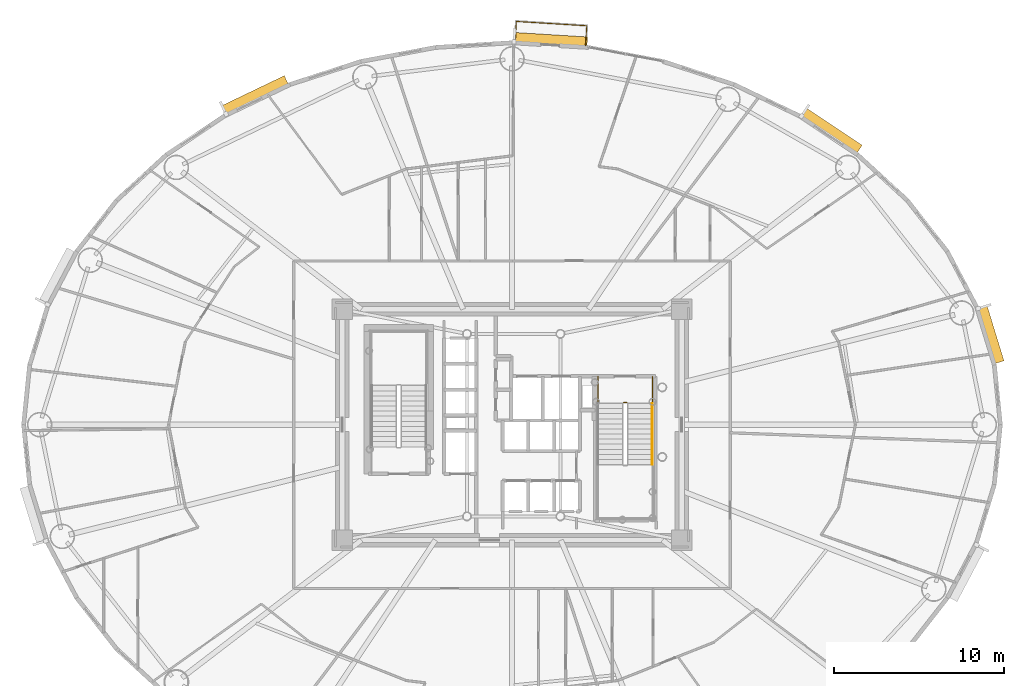
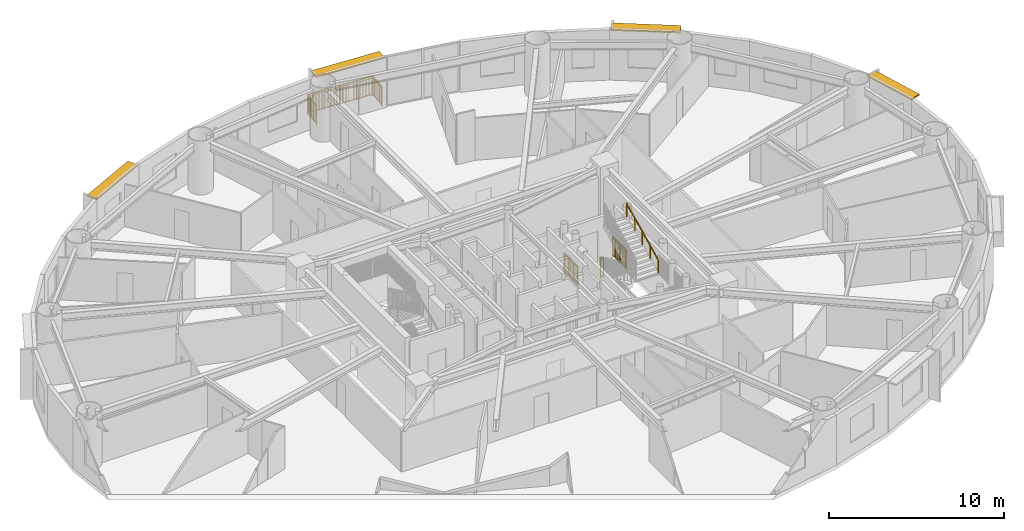
# One storey, part 16 of 16: 5 railings, 4 shading devices.
"""IFC4 building model written with IfcOpenShell, lengths in metres."""

from ifc_helpers import new_model, si_unit, direction, frame, origin, origin_2d, place, context, subcontext, project, spatial, rectangle, extrude, source, transform, mapped, material, layer, layer_set, type_object, element, save


model = new_model("IFC4")

# Units and contexts
model_context = context("Model", 3, precision=1e-05, world=origin(), true_north=direction((0.0, 1.0)))
body_context = subcontext(model_context, "Body", "Model", "MODEL_VIEW")
ifc_project = project(units=[si_unit("LENGTHUNIT", "METRE"), si_unit("AREAUNIT", "SQUARE_METRE"), si_unit("VOLUMEUNIT", "CUBIC_METRE"), si_unit("PLANEANGLEUNIT", "RADIAN"), si_unit("MASSUNIT", "GRAM", prefix="KILO")], contexts=[model_context])

# Site, building, storey
site_placement = place(None, origin())
site = spatial("IfcSite", under=ifc_project, at=site_placement, CompositionType="ELEMENT")
building_placement = place(site_placement, origin())
building = spatial("IfcBuilding", under=site, at=building_placement, Name="Linh Dai School and Residence Tower", CompositionType="ELEMENT")
storey_placement = place(building_placement, frame((0.0, 0.0, 108.449951171875)))
storey = spatial("IfcBuildingStorey", under=building, at=storey_placement, Name="L25", CompositionType="ELEMENT", Elevation=108.449951171875)

# Shading devices
ifc_material_1 = material(Name="Terracotta Ceramic Sunshade", Category="masonry")
ifc_layer = layer(ifc_material_1, 0.10009765625)
ifc_layer_set = layer_set([ifc_layer], Name="Terracotta Ceramic Sunshade")
shading_device_type = type_object("IfcShadingDeviceType", Name="SHD-TC-650", PredefinedType="USERDEFINED", material=ifc_layer_set)
shared_shape_1 = source(origin(), body_context, "Body", "SweptSolid", [
    extrude(rectangle(XDim=3.44384765625, YDim=0.64990234375, at=origin_2d()), origin(), (0.0, 0.0, 1.0), 0.10009765625),
])
shading_device_1_placement = place(storey_placement, frame((64.16845703125, 32.313720703125, 3.3798828125), z_axis=(0.0, 0.0, 1.0), x_axis=(0.293133528962, -0.956071511028, 0.0)))
element("IfcShadingDevice", 1, at=shading_device_1_placement, inside=storey, type_object=shading_device_type, Name="L25 Terracotta Horizontal Sunshade Band 02", ObjectType="SUNSHADE", PredefinedType="USERDEFINED", context=body_context, shape_type="MappedRepresentation", body=[
    mapped(shared_shape_1, transform((0.0, 0.0, 0.0), x_axis=(1.0, 0.0, 0.0), y_axis=(0.0, 1.0, 0.0), z_axis=(0.0, 0.0, 1.0), scale=1.0)),
])
shared_shape_2 = source(origin(), body_context, "Body", "SweptSolid", [
    extrude(rectangle(XDim=3.96484375, YDim=0.64990234375, at=origin_2d()), origin(), (0.0, 0.0, 1.0), 0.10009765625),
])
shading_device_2_placement = place(storey_placement, frame((54.80029296875, 44.288330078125, 3.3798828125), z_axis=(0.0, 0.0, 1.0), x_axis=(0.831240347736, -0.555913198527, 0.0)))
element("IfcShadingDevice", 2, at=shading_device_2_placement, inside=storey, type_object=shading_device_type, Name="L25 Terracotta Horizontal Sunshade Band 06", ObjectType="SUNSHADE", PredefinedType="USERDEFINED", context=body_context, shape_type="MappedRepresentation", body=[
    mapped(shared_shape_2, transform((0.0, 0.0, 0.0), x_axis=(1.0, 0.0, 0.0), y_axis=(0.0, 1.0, 0.0), z_axis=(0.0, 0.0, 1.0), scale=1.0)),
])
shared_shape_3 = source(origin(), body_context, "Body", "SweptSolid", [
    extrude(rectangle(XDim=4.33349609375, YDim=0.64990234375, at=origin_2d()), origin(), (0.0, 0.0, 1.0), 0.10009765625),
])
shading_device_3_placement = place(storey_placement, frame((38.270263671875, 49.650634765625, 3.3798828125), z_axis=(0.0, 0.0, 1.0), x_axis=(0.998106513123, -0.061509255091, 0.0)))
element("IfcShadingDevice", 3, at=shading_device_3_placement, inside=storey, type_object=shading_device_type, Name="L25 Terracotta Horizontal Sunshade Band 10", ObjectType="SUNSHADE", PredefinedType="USERDEFINED", context=body_context, shape_type="MappedRepresentation", body=[
    mapped(shared_shape_3, transform((0.0, 0.0, 0.0), x_axis=(1.0, 0.0, 0.0), y_axis=(0.0, 1.0, 0.0), z_axis=(0.0, 0.0, 1.0), scale=1.0)),
])
shared_shape_4 = source(origin(), body_context, "Body", "SweptSolid", [
    extrude(rectangle(XDim=4.1005859375, YDim=0.64990234375, at=origin_2d()), origin(), (0.0, 0.0, 1.0), 0.10009765625),
])
shading_device_4_placement = place(storey_placement, frame((20.877197265625, 46.38037109375, 3.3798828125), z_axis=(0.0, 0.0, 1.0), x_axis=(0.901577518371, 0.432617589064, 0.0)))
element("IfcShadingDevice", 4, at=shading_device_4_placement, inside=storey, type_object=shading_device_type, Name="L25 Terracotta Horizontal Sunshade Band 14", ObjectType="SUNSHADE", PredefinedType="USERDEFINED", context=body_context, shape_type="MappedRepresentation", body=[
    mapped(shared_shape_4, transform((0.0, 0.0, 0.0), x_axis=(1.0, 0.0, 0.0), y_axis=(0.0, 1.0, 0.0), z_axis=(0.0, 0.0, 1.0), scale=1.0)),
])

# Railings
ifc_material_2 = material(Name="Structural Steel S355JR", Category="steel")
railing_type_1 = type_object("IfcRailingType", Name="RL-BAL-1400", PredefinedType="BALUSTRADE", material=ifc_material_2)
shared_shape_5 = source(origin(), body_context, "Body", "SweptSolid", [
    extrude(rectangle(XDim=0.048095703125, YDim=0.048095703125, at=origin_2d()), frame((0.0, 0.0, 1.3759765625), z_axis=(0.061656929038, 0.99809740161, 0.0), x_axis=(-0.99809740161, 0.061656929038, 0.0)), (0.0, 0.0, 1.0), 1.179931640625),
    extrude(rectangle(XDim=0.048095703125, YDim=0.048095703125, at=origin_2d()), frame((0.0, 0.0, 0.10009765625), z_axis=(0.061656929038, 0.99809740161, 0.0), x_axis=(-0.99809740161, 0.061656929038, 0.0)), (0.0, 0.0, 1.0), 1.179931640625),
    extrude(rectangle(XDim=0.030029296875, YDim=0.030029296875, at=origin_2d()), frame((0.0, 0.0, 1.239990234375), z_axis=(0.061656929038, 0.99809740161, 0.0), x_axis=(-0.99809740161, 0.061656929038, 0.0)), (0.0, 0.0, 1.0), 1.179931640625),
    extrude(rectangle(XDim=0.02001953125, YDim=0.02001953125, at=origin_2d()), frame((0.005615234375, 0.090576171875, 0.10009765625)), (0.0, 0.0, 1.0), 1.251708984375),
    extrude(rectangle(XDim=0.02001953125, YDim=0.02001953125, at=origin_2d()), frame((0.01123046875, 0.18115234375, 0.10009765625)), (0.0, 0.0, 1.0), 1.251708984375),
    extrude(rectangle(XDim=0.02001953125, YDim=0.02001953125, at=origin_2d()), frame((0.016845703125, 0.271728515625, 0.10009765625)), (0.0, 0.0, 1.0), 1.251708984375),
    extrude(rectangle(XDim=0.02001953125, YDim=0.02001953125, at=origin_2d()), frame((0.0224609375, 0.3623046875, 0.10009765625)), (0.0, 0.0, 1.0), 1.251708984375),
    extrude(rectangle(XDim=0.02001953125, YDim=0.02001953125, at=origin_2d()), frame((0.028076171875, 0.452880859375, 0.10009765625)), (0.0, 0.0, 1.0), 1.251708984375),
    extrude(rectangle(XDim=0.02001953125, YDim=0.02001953125, at=origin_2d()), frame((0.03369140625, 0.54345703125, 0.10009765625)), (0.0, 0.0, 1.0), 1.251708984375),
    extrude(rectangle(XDim=0.02001953125, YDim=0.02001953125, at=origin_2d()), frame((0.0390625, 0.63427734375, 0.10009765625)), (0.0, 0.0, 1.0), 1.251708984375),
    extrude(rectangle(XDim=0.02001953125, YDim=0.02001953125, at=origin_2d()), frame((0.044677734375, 0.724853515625, 0.10009765625)), (0.0, 0.0, 1.0), 1.251708984375),
    extrude(rectangle(XDim=0.02001953125, YDim=0.02001953125, at=origin_2d()), frame((0.05029296875, 0.8154296875, 0.10009765625)), (0.0, 0.0, 1.0), 1.251708984375),
    extrude(rectangle(XDim=0.02001953125, YDim=0.02001953125, at=origin_2d()), frame((0.055908203125, 0.906005859375, 0.10009765625)), (0.0, 0.0, 1.0), 1.251708984375),
    extrude(rectangle(XDim=0.02001953125, YDim=0.02001953125, at=origin_2d()), frame((0.0615234375, 0.99658203125, 0.10009765625)), (0.0, 0.0, 1.0), 1.251708984375),
    extrude(rectangle(XDim=0.02001953125, YDim=0.02001953125, at=origin_2d()), frame((0.067138671875, 1.087158203125, 0.10009765625)), (0.0, 0.0, 1.0), 1.251708984375),
    extrude(rectangle(XDim=0.048095703125, YDim=0.048095703125, at=origin_2d()), frame((0.07275390625, 1.177734375, 1.3759765625), z_axis=(0.998105045747, -0.061533061467, 0.0), x_axis=(0.061533061467, 0.998105045747, 0.0)), (0.0, 0.0, 1.0), 4.154052734375),
    extrude(rectangle(XDim=0.048095703125, YDim=0.048095703125, at=origin_2d()), frame((0.07275390625, 1.177734375, 0.10009765625), z_axis=(0.998105045747, -0.061533061467, 0.0), x_axis=(0.061533061467, 0.998105045747, 0.0)), (0.0, 0.0, 1.0), 4.154052734375),
    extrude(rectangle(XDim=0.030029296875, YDim=0.030029296875, at=origin_2d()), frame((0.07275390625, 1.177734375, 1.239990234375), z_axis=(0.998105045747, -0.061533061467, 0.0), x_axis=(0.061533061467, 0.998105045747, 0.0)), (0.0, 0.0, 1.0), 4.154052734375),
    extrude(rectangle(XDim=0.02001953125, YDim=0.02001953125, at=origin_2d()), frame((0.169189453125, 1.171875, 0.10009765625)), (0.0, 0.0, 1.0), 1.251708984375),
    extrude(rectangle(XDim=0.02001953125, YDim=0.02001953125, at=origin_2d()), frame((0.265625, 1.165771484375, 0.10009765625)), (0.0, 0.0, 1.0), 1.251708984375),
    extrude(rectangle(XDim=0.02001953125, YDim=0.02001953125, at=origin_2d()), frame((0.362060546875, 1.159912109375, 0.10009765625)), (0.0, 0.0, 1.0), 1.251708984375),
    extrude(rectangle(XDim=0.02001953125, YDim=0.02001953125, at=origin_2d()), frame((0.45849609375, 1.154052734375, 0.10009765625)), (0.0, 0.0, 1.0), 1.251708984375),
    extrude(rectangle(XDim=0.02001953125, YDim=0.02001953125, at=origin_2d()), frame((0.554931640625, 1.14794921875, 0.10009765625)), (0.0, 0.0, 1.0), 1.251708984375),
    extrude(rectangle(XDim=0.02001953125, YDim=0.02001953125, at=origin_2d()), frame((0.6513671875, 1.14208984375, 0.10009765625)), (0.0, 0.0, 1.0), 1.251708984375),
    extrude(rectangle(XDim=0.02001953125, YDim=0.02001953125, at=origin_2d()), frame((0.747802734375, 1.13623046875, 0.10009765625)), (0.0, 0.0, 1.0), 1.251708984375),
    extrude(rectangle(XDim=0.02001953125, YDim=0.02001953125, at=origin_2d()), frame((0.84423828125, 1.130126953125, 0.10009765625)), (0.0, 0.0, 1.0), 1.251708984375),
    extrude(rectangle(XDim=0.02001953125, YDim=0.02001953125, at=origin_2d()), frame((0.940673828125, 1.124267578125, 0.10009765625)), (0.0, 0.0, 1.0), 1.251708984375),
    extrude(rectangle(XDim=0.02001953125, YDim=0.02001953125, at=origin_2d()), frame((1.037109375, 1.118408203125, 0.10009765625)), (0.0, 0.0, 1.0), 1.251708984375),
    extrude(rectangle(XDim=0.02001953125, YDim=0.02001953125, at=origin_2d()), frame((1.229736328125, 1.1064453125, 0.10009765625)), (0.0, 0.0, 1.0), 1.251708984375),
    extrude(rectangle(XDim=0.02001953125, YDim=0.02001953125, at=origin_2d()), frame((1.326171875, 1.100341796875, 0.10009765625)), (0.0, 0.0, 1.0), 1.251708984375),
    extrude(rectangle(XDim=0.02001953125, YDim=0.02001953125, at=origin_2d()), frame((1.422607421875, 1.094482421875, 0.10009765625)), (0.0, 0.0, 1.0), 1.251708984375),
    extrude(rectangle(XDim=0.02001953125, YDim=0.02001953125, at=origin_2d()), frame((1.51904296875, 1.088623046875, 0.10009765625)), (0.0, 0.0, 1.0), 1.251708984375),
    extrude(rectangle(XDim=0.02001953125, YDim=0.02001953125, at=origin_2d()), frame((1.615478515625, 1.08251953125, 0.10009765625)), (0.0, 0.0, 1.0), 1.251708984375),
    extrude(rectangle(XDim=0.02001953125, YDim=0.02001953125, at=origin_2d()), frame((1.7119140625, 1.07666015625, 0.10009765625)), (0.0, 0.0, 1.0), 1.251708984375),
    extrude(rectangle(XDim=0.02001953125, YDim=0.02001953125, at=origin_2d()), frame((1.808349609375, 1.07080078125, 0.10009765625)), (0.0, 0.0, 1.0), 1.251708984375),
    extrude(rectangle(XDim=0.02001953125, YDim=0.02001953125, at=origin_2d()), frame((1.90478515625, 1.064697265625, 0.10009765625)), (0.0, 0.0, 1.0), 1.251708984375),
    extrude(rectangle(XDim=0.02001953125, YDim=0.02001953125, at=origin_2d()), frame((2.001220703125, 1.058837890625, 0.10009765625)), (0.0, 0.0, 1.0), 1.251708984375),
    extrude(rectangle(XDim=0.02001953125, YDim=0.02001953125, at=origin_2d()), frame((2.09765625, 1.052978515625, 0.10009765625)), (0.0, 0.0, 1.0), 1.251708984375),
    extrude(rectangle(XDim=0.02001953125, YDim=0.02001953125, at=origin_2d()), frame((2.194091796875, 1.046875, 0.10009765625)), (0.0, 0.0, 1.0), 1.251708984375),
    extrude(rectangle(XDim=0.02001953125, YDim=0.02001953125, at=origin_2d()), frame((2.29052734375, 1.041015625, 0.10009765625)), (0.0, 0.0, 1.0), 1.251708984375),
    extrude(rectangle(XDim=0.02001953125, YDim=0.02001953125, at=origin_2d()), frame((2.386962890625, 1.03515625, 0.10009765625)), (0.0, 0.0, 1.0), 1.251708984375),
    extrude(rectangle(XDim=0.02001953125, YDim=0.02001953125, at=origin_2d()), frame((2.4833984375, 1.029052734375, 0.10009765625)), (0.0, 0.0, 1.0), 1.251708984375),
    extrude(rectangle(XDim=0.02001953125, YDim=0.02001953125, at=origin_2d()), frame((2.579833984375, 1.023193359375, 0.10009765625)), (0.0, 0.0, 1.0), 1.251708984375),
    extrude(rectangle(XDim=0.02001953125, YDim=0.02001953125, at=origin_2d()), frame((2.67626953125, 1.017333984375, 0.10009765625)), (0.0, 0.0, 1.0), 1.251708984375),
    extrude(rectangle(XDim=0.02001953125, YDim=0.02001953125, at=origin_2d()), frame((2.772705078125, 1.01123046875, 0.10009765625)), (0.0, 0.0, 1.0), 1.251708984375),
    extrude(rectangle(XDim=0.02001953125, YDim=0.02001953125, at=origin_2d()), frame((2.869140625, 1.00537109375, 0.10009765625)), (0.0, 0.0, 1.0), 1.251708984375),
    extrude(rectangle(XDim=0.02001953125, YDim=0.02001953125, at=origin_2d()), frame((2.965576171875, 0.99951171875, 0.10009765625)), (0.0, 0.0, 1.0), 1.251708984375),
    extrude(rectangle(XDim=0.02001953125, YDim=0.02001953125, at=origin_2d()), frame((3.06201171875, 0.993408203125, 0.10009765625)), (0.0, 0.0, 1.0), 1.251708984375),
    extrude(rectangle(XDim=0.02001953125, YDim=0.02001953125, at=origin_2d()), frame((3.254638671875, 0.9814453125, 0.10009765625)), (0.0, 0.0, 1.0), 1.251708984375),
    extrude(rectangle(XDim=0.02001953125, YDim=0.02001953125, at=origin_2d()), frame((3.35107421875, 0.9755859375, 0.10009765625)), (0.0, 0.0, 1.0), 1.251708984375),
    extrude(rectangle(XDim=0.02001953125, YDim=0.02001953125, at=origin_2d()), frame((3.447509765625, 0.9697265625, 0.10009765625)), (0.0, 0.0, 1.0), 1.251708984375),
    extrude(rectangle(XDim=0.02001953125, YDim=0.02001953125, at=origin_2d()), frame((3.5439453125, 0.963623046875, 0.10009765625)), (0.0, 0.0, 1.0), 1.251708984375),
    extrude(rectangle(XDim=0.02001953125, YDim=0.02001953125, at=origin_2d()), frame((3.640380859375, 0.957763671875, 0.10009765625)), (0.0, 0.0, 1.0), 1.251708984375),
    extrude(rectangle(XDim=0.02001953125, YDim=0.02001953125, at=origin_2d()), frame((3.73681640625, 0.951904296875, 0.10009765625)), (0.0, 0.0, 1.0), 1.251708984375),
    extrude(rectangle(XDim=0.02001953125, YDim=0.02001953125, at=origin_2d()), frame((3.833251953125, 0.94580078125, 0.10009765625)), (0.0, 0.0, 1.0), 1.251708984375),
    extrude(rectangle(XDim=0.02001953125, YDim=0.02001953125, at=origin_2d()), frame((3.9296875, 0.93994140625, 0.10009765625)), (0.0, 0.0, 1.0), 1.251708984375),
    extrude(rectangle(XDim=0.02001953125, YDim=0.02001953125, at=origin_2d()), frame((4.026123046875, 0.93408203125, 0.10009765625)), (0.0, 0.0, 1.0), 1.251708984375),
    extrude(rectangle(XDim=0.02001953125, YDim=0.02001953125, at=origin_2d()), frame((4.12255859375, 0.927978515625, 0.10009765625)), (0.0, 0.0, 1.0), 1.251708984375),
    extrude(rectangle(XDim=0.048095703125, YDim=0.048095703125, at=origin_2d()), frame((4.218994140625, 0.922119140625, 1.3759765625), z_axis=(-0.061656929038, -0.99809740161, 0.0), x_axis=(0.99809740161, -0.061656929038, 0.0)), (0.0, 0.0, 1.0), 1.179931640625),
    extrude(rectangle(XDim=0.048095703125, YDim=0.048095703125, at=origin_2d()), frame((4.218994140625, 0.922119140625, 0.10009765625), z_axis=(-0.061656929038, -0.99809740161, 0.0), x_axis=(0.99809740161, -0.061656929038, 0.0)), (0.0, 0.0, 1.0), 1.179931640625),
    extrude(rectangle(XDim=0.030029296875, YDim=0.030029296875, at=origin_2d()), frame((4.218994140625, 0.922119140625, 1.239990234375), z_axis=(-0.061656929038, -0.99809740161, 0.0), x_axis=(0.99809740161, -0.061656929038, 0.0)), (0.0, 0.0, 1.0), 1.179931640625),
    extrude(rectangle(XDim=0.02001953125, YDim=0.02001953125, at=origin_2d()), frame((4.21337890625, 0.83154296875, 0.10009765625)), (0.0, 0.0, 1.0), 1.251708984375),
    extrude(rectangle(XDim=0.02001953125, YDim=0.02001953125, at=origin_2d()), frame((4.207763671875, 0.740966796875, 0.10009765625)), (0.0, 0.0, 1.0), 1.251708984375),
    extrude(rectangle(XDim=0.02001953125, YDim=0.02001953125, at=origin_2d()), frame((4.2021484375, 0.650390625, 0.10009765625)), (0.0, 0.0, 1.0), 1.251708984375),
    extrude(rectangle(XDim=0.02001953125, YDim=0.02001953125, at=origin_2d()), frame((4.196533203125, 0.559814453125, 0.10009765625)), (0.0, 0.0, 1.0), 1.251708984375),
    extrude(rectangle(XDim=0.02001953125, YDim=0.02001953125, at=origin_2d()), frame((4.19091796875, 0.46923828125, 0.10009765625)), (0.0, 0.0, 1.0), 1.251708984375),
    extrude(rectangle(XDim=0.02001953125, YDim=0.02001953125, at=origin_2d()), frame((4.185302734375, 0.378662109375, 0.10009765625)), (0.0, 0.0, 1.0), 1.251708984375),
    extrude(rectangle(XDim=0.02001953125, YDim=0.02001953125, at=origin_2d()), frame((4.179931640625, 0.287841796875, 0.10009765625)), (0.0, 0.0, 1.0), 1.251708984375),
    extrude(rectangle(XDim=0.02001953125, YDim=0.02001953125, at=origin_2d()), frame((4.17431640625, 0.197265625, 0.10009765625)), (0.0, 0.0, 1.0), 1.251708984375),
    extrude(rectangle(XDim=0.02001953125, YDim=0.02001953125, at=origin_2d()), frame((4.168701171875, 0.106689453125, 0.10009765625)), (0.0, 0.0, 1.0), 1.251708984375),
    extrude(rectangle(XDim=0.02001953125, YDim=0.02001953125, at=origin_2d()), frame((4.1630859375, 0.01611328125, 0.10009765625)), (0.0, 0.0, 1.0), 1.251708984375),
    extrude(rectangle(XDim=0.02001953125, YDim=0.02001953125, at=origin_2d()), frame((4.157470703125, -0.074462890625, 0.10009765625)), (0.0, 0.0, 1.0), 1.251708984375),
    extrude(rectangle(XDim=0.02001953125, YDim=0.02001953125, at=origin_2d()), frame((4.15185546875, -0.1650390625, 0.10009765625)), (0.0, 0.0, 1.0), 1.251708984375),
    extrude(rectangle(XDim=0.0419921875, YDim=0.0419921875, at=origin_2d()), origin(), (0.0, 0.0, 1.0), 1.3759765625),
    extrude(rectangle(XDim=0.0419921875, YDim=0.0419921875, at=origin_2d()), frame((0.07275390625, 1.177734375, 0.0)), (0.0, 0.0, 1.0), 1.3759765625),
    extrude(rectangle(XDim=0.0419921875, YDim=0.0419921875, at=origin_2d()), frame((1.109375, 1.11376953125, 0.0)), (0.0, 0.0, 1.0), 1.3759765625),
    extrude(rectangle(XDim=0.0419921875, YDim=0.0419921875, at=origin_2d()), frame((2.14599609375, 1.0498046875, 0.0)), (0.0, 0.0, 1.0), 1.3759765625),
    extrude(rectangle(XDim=0.0419921875, YDim=0.0419921875, at=origin_2d()), frame((3.182373046875, 0.986083984375, 0.0)), (0.0, 0.0, 1.0), 1.3759765625),
    extrude(rectangle(XDim=0.0419921875, YDim=0.0419921875, at=origin_2d()), frame((4.218994140625, 0.922119140625, 0.0)), (0.0, 0.0, 1.0), 1.3759765625),
    extrude(rectangle(XDim=0.0419921875, YDim=0.0419921875, at=origin_2d()), frame((4.146240234375, -0.255615234375, 0.0)), (0.0, 0.0, 1.0), 1.3759765625),
])
railing_1_placement = place(storey_placement, frame((36.184814453125, 49.578857421875, 0.0)))
element("IfcRailing", 5, at=railing_1_placement, inside=storey, type_object=railing_type_1, Name="L25 Balcony Safety Balustrade 10", PredefinedType="BALUSTRADE", context=body_context, shape_type="MappedRepresentation", body=[
    mapped(shared_shape_5, transform((0.0, 0.0, 0.0), x_axis=(1.0, 0.0, 0.0), y_axis=(0.0, 1.0, 0.0), z_axis=(0.0, 0.0, 1.0), scale=1.0)),
])
ifc_material_3 = material(Name="Brushed Stainless Steel Handrail", Category="steel")
railing_type_2 = type_object("IfcRailingType", Name="RL-ST-HANDRAIL-900", PredefinedType="HANDRAIL", material=ifc_material_3)
shared_shape_6 = source(origin(), body_context, "Body", "SweptSolid", [
    extrude(rectangle(XDim=0.048095703125, YDim=0.048095703125, at=origin_2d()), frame((0.0, 0.0, 0.8759765625), z_axis=(0.0, 0.901262522062, 0.433273431364), x_axis=(-1.0, 0.0, 0.0)), (0.0, 0.0, 1.0), 3.994384765625),
    extrude(rectangle(XDim=0.0419921875, YDim=0.0419921875, at=origin_2d()), origin(), (0.0, 0.0, 1.0), 0.8759765625),
    extrude(rectangle(XDim=0.0419921875, YDim=0.0419921875, at=origin_2d()), frame((0.0, 0.89990234375, 0.4326171875)), (0.0, 0.0, 1.0), 0.8759765625),
    extrude(rectangle(XDim=0.0419921875, YDim=0.0419921875, at=origin_2d()), frame((0.0, 1.800048828125, 0.865234375)), (0.0, 0.0, 1.0), 0.8759765625),
    extrude(rectangle(XDim=0.0419921875, YDim=0.0419921875, at=origin_2d()), frame((0.0, 2.7001953125, 1.298095703125)), (0.0, 0.0, 1.0), 0.8759765625),
    extrude(rectangle(XDim=0.0419921875, YDim=0.0419921875, at=origin_2d()), frame((0.0, 3.60009765625, 1.730712890625)), (0.0, 0.0, 1.0), 0.8759765625),
])
railing_2_placement = place(storey_placement, frame((44.27001953125, 24.64990234375, 2.019287109375)))
element("IfcRailing", 6, at=railing_2_placement, inside=storey, type_object=railing_type_2, Name="L25 ST2 stair handrail 2", PredefinedType="HANDRAIL", context=body_context, shape_type="MappedRepresentation", body=[
    mapped(shared_shape_6, transform((0.0, 0.0, 0.0), x_axis=(1.0, 0.0, 0.0), y_axis=(0.0, 1.0, 0.0), z_axis=(0.0, 0.0, 1.0), scale=1.0)),
])
railing_type_3 = type_object("IfcRailingType", Name="RL-ST-GUARD-1400", PredefinedType="GUARDRAIL", material=ifc_material_2)
shared_shape_7 = source(origin(), body_context, "Body", "SweptSolid", [
    extrude(rectangle(XDim=0.048095703125, YDim=0.048095703125, at=origin_2d()), frame((0.0, 0.0, 1.3759765625), z_axis=(1.0, 0.0, 0.0), x_axis=(0.0, 1.0, 0.0)), (0.0, 0.0, 1.0), 0.199951171875),
    extrude(rectangle(XDim=0.048095703125, YDim=0.048095703125, at=origin_2d()), frame((0.0, 0.0, 0.10009765625), z_axis=(1.0, 0.0, 0.0), x_axis=(0.0, 1.0, 0.0)), (0.0, 0.0, 1.0), 0.199951171875),
    extrude(rectangle(XDim=0.030029296875, YDim=0.030029296875, at=origin_2d()), frame((0.0, 0.0, 1.239990234375), z_axis=(1.0, 0.0, 0.0), x_axis=(0.0, 1.0, 0.0)), (0.0, 0.0, 1.0), 0.199951171875),
    extrude(rectangle(XDim=0.0419921875, YDim=0.0419921875, at=origin_2d()), origin(), (0.0, 0.0, 1.0), 1.3759765625),
    extrude(rectangle(XDim=0.0419921875, YDim=0.0419921875, at=origin_2d()), frame((0.199951171875, 0.0, 0.0)), (0.0, 0.0, 1.0), 1.3759765625),
])
railing_3_placement = place(storey_placement, frame((42.570068359375, 28.300048828125, 0.0)))
element("IfcRailing", 7, at=railing_3_placement, inside=storey, type_object=railing_type_3, Name="L25 ST2 stair guard 7", PredefinedType="GUARDRAIL", context=body_context, shape_type="MappedRepresentation", body=[
    mapped(shared_shape_7, transform((0.0, 0.0, 0.0), x_axis=(1.0, 0.0, 0.0), y_axis=(0.0, 1.0, 0.0), z_axis=(0.0, 0.0, 1.0), scale=1.0)),
])
shared_shape_8 = source(origin(), body_context, "Body", "SweptSolid", [
    extrude(rectangle(XDim=0.048095703125, YDim=0.048095703125, at=origin_2d()), frame((0.0, 0.0, 1.3759765625), z_axis=(0.0, -1.0, 0.0), x_axis=(1.0, 0.0, 0.0)), (0.0, 0.0, 1.0), 1.60009765625),
    extrude(rectangle(XDim=0.048095703125, YDim=0.048095703125, at=origin_2d()), frame((0.0, 0.0, 0.10009765625), z_axis=(0.0, -1.0, 0.0), x_axis=(1.0, 0.0, 0.0)), (0.0, 0.0, 1.0), 1.60009765625),
    extrude(rectangle(XDim=0.030029296875, YDim=0.030029296875, at=origin_2d()), frame((0.0, 0.0, 1.239990234375), z_axis=(0.0, -1.0, 0.0), x_axis=(1.0, 0.0, 0.0)), (0.0, 0.0, 1.0), 1.60009765625),
    extrude(rectangle(XDim=0.02001953125, YDim=0.02001953125, at=origin_2d()), frame((0.0, -0.09423828125, 0.10009765625)), (0.0, 0.0, 1.0), 1.251708984375),
    extrude(rectangle(XDim=0.02001953125, YDim=0.02001953125, at=origin_2d()), frame((0.0, -0.188232421875, 0.10009765625)), (0.0, 0.0, 1.0), 1.251708984375),
    extrude(rectangle(XDim=0.02001953125, YDim=0.02001953125, at=origin_2d()), frame((0.0, -0.282470703125, 0.10009765625)), (0.0, 0.0, 1.0), 1.251708984375),
    extrude(rectangle(XDim=0.02001953125, YDim=0.02001953125, at=origin_2d()), frame((0.0, -0.37646484375, 0.10009765625)), (0.0, 0.0, 1.0), 1.251708984375),
    extrude(rectangle(XDim=0.02001953125, YDim=0.02001953125, at=origin_2d()), frame((0.0, -0.470703125, 0.10009765625)), (0.0, 0.0, 1.0), 1.251708984375),
    extrude(rectangle(XDim=0.02001953125, YDim=0.02001953125, at=origin_2d()), frame((0.0, -0.564697265625, 0.10009765625)), (0.0, 0.0, 1.0), 1.251708984375),
    extrude(rectangle(XDim=0.02001953125, YDim=0.02001953125, at=origin_2d()), frame((0.0, -0.658935546875, 0.10009765625)), (0.0, 0.0, 1.0), 1.251708984375),
    extrude(rectangle(XDim=0.02001953125, YDim=0.02001953125, at=origin_2d()), frame((0.0, -0.7529296875, 0.10009765625)), (0.0, 0.0, 1.0), 1.251708984375),
    extrude(rectangle(XDim=0.02001953125, YDim=0.02001953125, at=origin_2d()), frame((0.0, -0.84716796875, 0.10009765625)), (0.0, 0.0, 1.0), 1.251708984375),
    extrude(rectangle(XDim=0.02001953125, YDim=0.02001953125, at=origin_2d()), frame((0.0, -0.941162109375, 0.10009765625)), (0.0, 0.0, 1.0), 1.251708984375),
    extrude(rectangle(XDim=0.02001953125, YDim=0.02001953125, at=origin_2d()), frame((0.0, -1.035400390625, 0.10009765625)), (0.0, 0.0, 1.0), 1.251708984375),
    extrude(rectangle(XDim=0.02001953125, YDim=0.02001953125, at=origin_2d()), frame((0.0, -1.12939453125, 0.10009765625)), (0.0, 0.0, 1.0), 1.251708984375),
    extrude(rectangle(XDim=0.02001953125, YDim=0.02001953125, at=origin_2d()), frame((0.0, -1.2236328125, 0.10009765625)), (0.0, 0.0, 1.0), 1.251708984375),
    extrude(rectangle(XDim=0.02001953125, YDim=0.02001953125, at=origin_2d()), frame((0.0, -1.317626953125, 0.10009765625)), (0.0, 0.0, 1.0), 1.251708984375),
    extrude(rectangle(XDim=0.02001953125, YDim=0.02001953125, at=origin_2d()), frame((0.0, -1.411865234375, 0.10009765625)), (0.0, 0.0, 1.0), 1.251708984375),
    extrude(rectangle(XDim=0.02001953125, YDim=0.02001953125, at=origin_2d()), frame((0.0, -1.505859375, 0.10009765625)), (0.0, 0.0, 1.0), 1.251708984375),
    extrude(rectangle(XDim=0.0419921875, YDim=0.0419921875, at=origin_2d()), origin(), (0.0, 0.0, 1.0), 1.3759765625),
    extrude(rectangle(XDim=0.0419921875, YDim=0.0419921875, at=origin_2d()), frame((0.0, -0.800048828125, 0.0)), (0.0, 0.0, 1.0), 1.3759765625),
    extrude(rectangle(XDim=0.0419921875, YDim=0.0419921875, at=origin_2d()), frame((0.0, -1.60009765625, 0.0)), (0.0, 0.0, 1.0), 1.3759765625),
])
for number, where, name in (
    (8, (41.070068359375, 29.85009765625, 0.0), "L25 ST2 stair guard 8"),
    (9, (44.27001953125, 29.85009765625, 0.0), "L25 ST2 stair guard 9"),
):
    element("IfcRailing", number, at=place(storey_placement, frame(where)), inside=storey, type_object=railing_type_3, Name=name, PredefinedType="GUARDRAIL", context=body_context, shape_type="MappedRepresentation", body=[
        mapped(shared_shape_8, transform((0.0, 0.0, 0.0), x_axis=(1.0, 0.0, 0.0), y_axis=(0.0, 1.0, 0.0), z_axis=(0.0, 0.0, 1.0), scale=1.0)),
    ])

save(model, "model.ifc")
